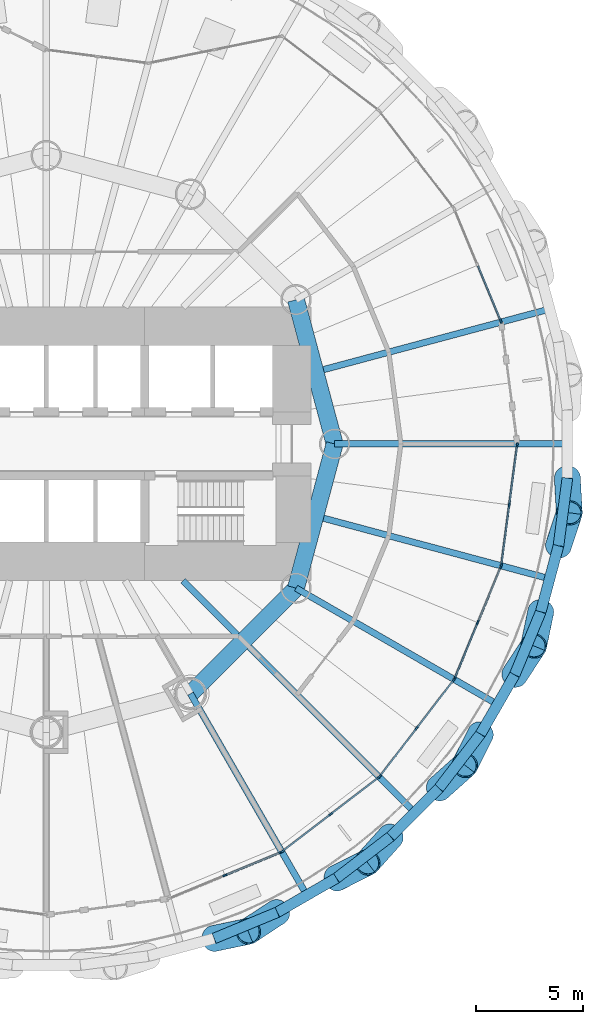
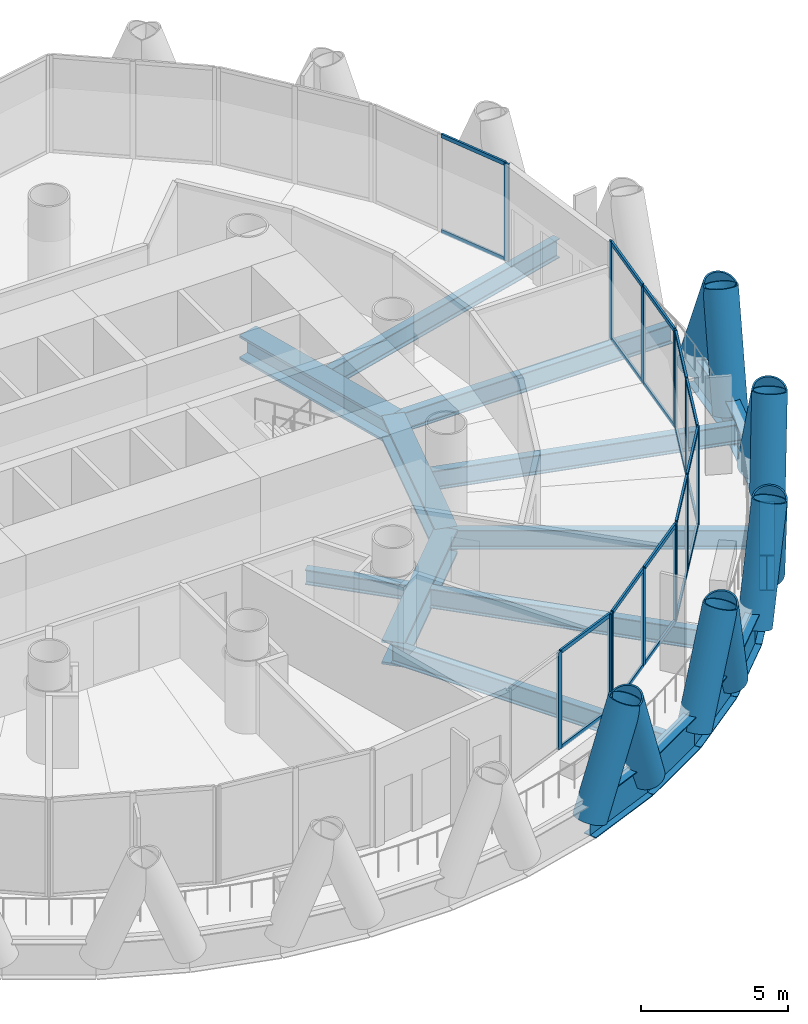
# One storey, part 4 of 16: 45 members, 19 beams, 6 elements without a shape of their own.
"""IFC4 building model written with IfcOpenShell, lengths in metres."""

from ifc_helpers import new_model, si_unit, direction, frame, origin, origin_2d, place, context, subcontext, project, spatial, rectangle, hollow_circle, i_section, extrude, material, material_profile, profile_set, type_object, element, aggregate, save


model = new_model("IFC4")

# Units and contexts
model_context = context("Model", 3, precision=1e-05, world=origin(), true_north=direction((0.0, 1.0)))
body_context = subcontext(model_context, "Body", "Model", "MODEL_VIEW")
ifc_project = project(units=[si_unit("LENGTHUNIT", "METRE"), si_unit("AREAUNIT", "SQUARE_METRE"), si_unit("VOLUMEUNIT", "CUBIC_METRE"), si_unit("PLANEANGLEUNIT", "RADIAN"), si_unit("MASSUNIT", "GRAM", prefix="KILO")], contexts=[model_context])

# Site, building, storey
site_placement = place(None, origin())
site = spatial("IfcSite", under=ifc_project, at=site_placement, CompositionType="ELEMENT")
building_placement = place(site_placement, origin())
building = spatial("IfcBuilding", under=site, at=building_placement, Name="Qaws Media Tower", CompositionType="ELEMENT")
storey_placement = place(building_placement, frame((0.0, 0.0, 47.0)))
storey = spatial("IfcBuildingStorey", under=building, at=storey_placement, Name="L09", CompositionType="ELEMENT", Elevation=47.0)

# Curtain wall, member
ifc_material_1 = material(Name="Aluminium and clear glass", Category="aluminium")
curtain_wall_type = type_object("IfcCurtainWallType", Name="Unitised curtain wall CW-A", PredefinedType="NOTDEFINED", material=ifc_material_1)
curtain_wall_1_placement = place(storey_placement, origin())
curtain_wall_1 = element("IfcCurtainWall", 1, at=curtain_wall_1_placement, inside=storey, type_object=curtain_wall_type, Name="CWA curtain wall L09-02", PredefinedType="NOTDEFINED")
ifc_material_2 = material(Name="Aluminium mullion", Category="aluminium")
ifc_material_profile_1 = material_profile(ifc_material_2, rectangle(XDim=0.080078125, YDim=0.199951171875, at=origin_2d()), Name="80x200")
ifc_profile_set_1 = profile_set([ifc_material_profile_1], Name="Aluminium mullion")
member_type_1 = type_object("IfcMemberType", Name="Curtain wall mullion 80x200", PredefinedType="MULLION", material=ifc_profile_set_1)
member_1_placement = place(storey_placement, frame((81.283447265625, 55.743896484375, 0.0), z_axis=(0.0, 0.0, 1.0), x_axis=(-0.923879550525, -0.382683388877, 0.0)))
member_1 = element("IfcMember", 2, at=member_1_placement, type_object=member_type_1, Name="CWA mullion 1", PredefinedType="MULLION", context=body_context, shape_type="SweptSolid", body=[
    extrude(rectangle(XDim=0.080078125, YDim=0.199951171875, at=origin_2d()), origin(), (0.0, 0.0, 1.0), 4.0400390625),
])

# Curtain wall, members
curtain_wall_2_placement = place(storey_placement, origin())
curtain_wall_2 = element("IfcCurtainWall", 3, at=curtain_wall_2_placement, inside=storey, type_object=curtain_wall_type, Name="CWA curtain wall L09-20", PredefinedType="NOTDEFINED")
member_2_placement = place(storey_placement, frame((68.365966796875, 29.802734375, 0.0), z_axis=(0.0, 0.0, 1.0), x_axis=(-0.382683388877, 0.923879550525, 0.0)))
member_2 = element("IfcMember", 4, at=member_2_placement, type_object=member_type_1, Name="CWA mullion 2", PredefinedType="MULLION", context=body_context, shape_type="SweptSolid", body=[
    extrude(rectangle(XDim=0.080078125, YDim=0.199951171875, at=origin_2d()), origin(), (0.0, 0.0, 1.0), 4.0400390625),
])
member_3_placement = place(storey_placement, frame((70.988037109375, 30.888916015625, 0.0), z_axis=(0.0, 0.0, 1.0), x_axis=(-0.382683388877, 0.923879550525, 0.0)))
member_3 = element("IfcMember", 5, at=member_3_placement, type_object=member_type_1, Name="CWA mullion 3", PredefinedType="MULLION", context=body_context, shape_type="SweptSolid", body=[
    extrude(rectangle(XDim=0.080078125, YDim=0.199951171875, at=origin_2d()), origin(), (0.0, 0.0, 1.0), 4.0400390625),
])

curtain_wall_3_placement = place(storey_placement, origin())
curtain_wall_3 = element("IfcCurtainWall", 6, at=curtain_wall_3_placement, inside=storey, type_object=curtain_wall_type, Name="CWA curtain wall L09-21", PredefinedType="NOTDEFINED")
member_4_placement = place(storey_placement, frame((71.056640625, 30.928466796875, 0.0), z_axis=(0.0, 0.0, 1.0), x_axis=(-0.608761320465, 0.79335342358, 0.0)))
member_4 = element("IfcMember", 7, at=member_4_placement, type_object=member_type_1, Name="CWA mullion 1", PredefinedType="MULLION", context=body_context, shape_type="SweptSolid", body=[
    extrude(rectangle(XDim=0.080078125, YDim=0.199951171875, at=origin_2d()), origin(), (0.0, 0.0, 1.0), 4.0400390625),
])
member_5_placement = place(storey_placement, frame((73.308349609375, 32.65625, 0.0), z_axis=(0.0, 0.0, 1.0), x_axis=(-0.608761320465, 0.79335342358, 0.0)))
member_5 = element("IfcMember", 8, at=member_5_placement, type_object=member_type_1, Name="CWA mullion 2", PredefinedType="MULLION", context=body_context, shape_type="SweptSolid", body=[
    extrude(rectangle(XDim=0.080078125, YDim=0.199951171875, at=origin_2d()), origin(), (0.0, 0.0, 1.0), 4.0400390625),
])
member_6_placement = place(storey_placement, frame((75.56005859375, 34.384033203125, 0.0), z_axis=(0.0, 0.0, 1.0), x_axis=(-0.608761320465, 0.79335342358, 0.0)))
member_6 = element("IfcMember", 9, at=member_6_placement, type_object=member_type_1, Name="CWA mullion 3", PredefinedType="MULLION", context=body_context, shape_type="SweptSolid", body=[
    extrude(rectangle(XDim=0.080078125, YDim=0.199951171875, at=origin_2d()), origin(), (0.0, 0.0, 1.0), 4.0400390625),
])

curtain_wall_4_placement = place(storey_placement, origin())
curtain_wall_4 = element("IfcCurtainWall", 10, at=curtain_wall_4_placement, inside=storey, type_object=curtain_wall_type, Name="CWA curtain wall L09-22", PredefinedType="NOTDEFINED")
member_7_placement = place(storey_placement, frame((75.615966796875, 34.43994140625, 0.0), z_axis=(0.0, 0.0, 1.0), x_axis=(-0.79335342358, 0.608761320465, 0.0)))
member_7 = element("IfcMember", 11, at=member_7_placement, type_object=member_type_1, Name="CWA mullion 1", PredefinedType="MULLION", context=body_context, shape_type="SweptSolid", body=[
    extrude(rectangle(XDim=0.080078125, YDim=0.199951171875, at=origin_2d()), origin(), (0.0, 0.0, 1.0), 4.0400390625),
])
member_8_placement = place(storey_placement, frame((77.34375, 36.691650390625, 0.0), z_axis=(0.0, 0.0, 1.0), x_axis=(-0.79335342358, 0.608761320465, 0.0)))
member_8 = element("IfcMember", 12, at=member_8_placement, type_object=member_type_1, Name="CWA mullion 2", PredefinedType="MULLION", context=body_context, shape_type="SweptSolid", body=[
    extrude(rectangle(XDim=0.080078125, YDim=0.199951171875, at=origin_2d()), origin(), (0.0, 0.0, 1.0), 4.0400390625),
])
member_9_placement = place(storey_placement, frame((79.071533203125, 38.943359375, 0.0), z_axis=(0.0, 0.0, 1.0), x_axis=(-0.79335342358, 0.608761320465, 0.0)))
member_9 = element("IfcMember", 13, at=member_9_placement, type_object=member_type_1, Name="CWA mullion 3", PredefinedType="MULLION", context=body_context, shape_type="SweptSolid", body=[
    extrude(rectangle(XDim=0.080078125, YDim=0.199951171875, at=origin_2d()), origin(), (0.0, 0.0, 1.0), 4.0400390625),
])

curtain_wall_5_placement = place(storey_placement, origin())
curtain_wall_5 = element("IfcCurtainWall", 14, at=curtain_wall_5_placement, inside=storey, type_object=curtain_wall_type, Name="CWA curtain wall L09-23", PredefinedType="NOTDEFINED")
member_10_placement = place(storey_placement, frame((79.111083984375, 39.011962890625, 0.0), z_axis=(0.0, 0.0, 1.0), x_axis=(-0.923879550525, 0.382683388877, 0.0)))
member_10 = element("IfcMember", 15, at=member_10_placement, type_object=member_type_1, Name="CWA mullion 1", PredefinedType="MULLION", context=body_context, shape_type="SweptSolid", body=[
    extrude(rectangle(XDim=0.080078125, YDim=0.199951171875, at=origin_2d()), origin(), (0.0, 0.0, 1.0), 4.0400390625),
])
member_11_placement = place(storey_placement, frame((80.197265625, 41.634033203125, 0.0), z_axis=(0.0, 0.0, 1.0), x_axis=(-0.923879550525, 0.382683388877, 0.0)))
member_11 = element("IfcMember", 16, at=member_11_placement, type_object=member_type_1, Name="CWA mullion 2", PredefinedType="MULLION", context=body_context, shape_type="SweptSolid", body=[
    extrude(rectangle(XDim=0.080078125, YDim=0.199951171875, at=origin_2d()), origin(), (0.0, 0.0, 1.0), 4.0400390625),
])
member_12_placement = place(storey_placement, frame((81.283447265625, 44.256103515625, 0.0), z_axis=(0.0, 0.0, 1.0), x_axis=(-0.923879550525, 0.382683388877, 0.0)))
member_12 = element("IfcMember", 17, at=member_12_placement, type_object=member_type_1, Name="CWA mullion 3", PredefinedType="MULLION", context=body_context, shape_type="SweptSolid", body=[
    extrude(rectangle(XDim=0.080078125, YDim=0.199951171875, at=origin_2d()), origin(), (0.0, 0.0, 1.0), 4.0400390625),
])

curtain_wall_6_placement = place(storey_placement, origin())
curtain_wall_6 = element("IfcCurtainWall", 18, at=curtain_wall_6_placement, inside=storey, type_object=curtain_wall_type, Name="CWA curtain wall L09-24", PredefinedType="NOTDEFINED")
member_13_placement = place(storey_placement, frame((81.303955078125, 44.332763671875, 0.0), z_axis=(0.0, 0.0, 1.0), x_axis=(-0.991444850979, 0.130526271178, 0.0)))
member_13 = element("IfcMember", 19, at=member_13_placement, type_object=member_type_1, Name="CWA mullion 1", PredefinedType="MULLION", context=body_context, shape_type="SweptSolid", body=[
    extrude(rectangle(XDim=0.080078125, YDim=0.199951171875, at=origin_2d()), origin(), (0.0, 0.0, 1.0), 4.0400390625),
])
member_14_placement = place(storey_placement, frame((81.67431640625, 47.146484375, 0.0), z_axis=(0.0, 0.0, 1.0), x_axis=(-0.991444850979, 0.130526271178, 0.0)))
member_14 = element("IfcMember", 20, at=member_14_placement, type_object=member_type_1, Name="CWA mullion 2", PredefinedType="MULLION", context=body_context, shape_type="SweptSolid", body=[
    extrude(rectangle(XDim=0.080078125, YDim=0.199951171875, at=origin_2d()), origin(), (0.0, 0.0, 1.0), 4.0400390625),
])
member_15_placement = place(storey_placement, frame((82.044677734375, 49.96044921875, 0.0), z_axis=(0.0, 0.0, 1.0), x_axis=(-0.991444850979, 0.130526271178, 0.0)))
member_15 = element("IfcMember", 21, at=member_15_placement, type_object=member_type_1, Name="CWA mullion 3", PredefinedType="MULLION", context=body_context, shape_type="SweptSolid", body=[
    extrude(rectangle(XDim=0.080078125, YDim=0.199951171875, at=origin_2d()), origin(), (0.0, 0.0, 1.0), 4.0400390625),
])

# Member
ifc_material_3 = material(Name="Aluminium transom", Category="aluminium")
ifc_material_profile_2 = material_profile(ifc_material_3, rectangle(XDim=0.080078125, YDim=0.159912109375, at=origin_2d()), Name="80x160")
ifc_profile_set_2 = profile_set([ifc_material_profile_2], Name="Aluminium transom")
member_type_2 = type_object("IfcMemberType", Name="Curtain wall transom 80x160", PredefinedType="USERDEFINED", material=ifc_profile_set_2)
member_16_placement = place(storey_placement, frame((81.26806640625, 55.78076171875, 0.0400390625), z_axis=(-0.382641035771, 0.923897092616, 0.0), x_axis=(-0.923897092616, -0.382641035771, 0.0)))
member_16 = element("IfcMember", 22, at=member_16_placement, type_object=member_type_2, Name="CWA transom 1.1", ObjectType="TRANSOM", PredefinedType="USERDEFINED", context=body_context, shape_type="SweptSolid", body=[
    extrude(rectangle(XDim=0.080078125, YDim=0.159912109375, at=origin_2d()), origin(), (0.0, 0.0, 1.0), 2.75830078125),
])

member_17_placement = place(storey_placement, frame((81.26806640625, 55.78076171875, 4.0), z_axis=(-0.382641035771, 0.923897092616, 0.0), x_axis=(-0.923897092616, -0.382641035771, 0.0)))
member_17 = element("IfcMember", 23, at=member_17_placement, type_object=member_type_2, Name="CWA transom 1.2", ObjectType="TRANSOM", PredefinedType="USERDEFINED", context=body_context, shape_type="SweptSolid", body=[
    extrude(rectangle(XDim=0.080078125, YDim=0.159912109375, at=origin_2d()), origin(), (0.0, 0.0, 1.0), 2.75830078125),
])

aggregate(curtain_wall_1, [member_1, member_16, member_17])

member_18_placement = place(storey_placement, frame((68.40283203125, 29.818115234375, 0.0400390625), z_axis=(0.923897092616, 0.382641035771, 0.0), x_axis=(-0.382641035771, 0.923897092616, 0.0)))
member_18 = element("IfcMember", 24, at=member_18_placement, type_object=member_type_2, Name="CWA transom 2.1", ObjectType="TRANSOM", PredefinedType="USERDEFINED", context=body_context, shape_type="SweptSolid", body=[
    extrude(rectangle(XDim=0.080078125, YDim=0.159912109375, at=origin_2d()), origin(), (0.0, 0.0, 1.0), 2.75830078125),
])

member_19_placement = place(storey_placement, frame((68.40283203125, 29.818115234375, 4.0), z_axis=(0.923897092616, 0.382641035771, 0.0), x_axis=(-0.382641035771, 0.923897092616, 0.0)))
member_19 = element("IfcMember", 25, at=member_19_placement, type_object=member_type_2, Name="CWA transom 2.2", ObjectType="TRANSOM", PredefinedType="USERDEFINED", context=body_context, shape_type="SweptSolid", body=[
    extrude(rectangle(XDim=0.080078125, YDim=0.159912109375, at=origin_2d()), origin(), (0.0, 0.0, 1.0), 2.75830078125),
])

aggregate(curtain_wall_2, [member_2, member_3, member_18, member_19])

member_20_placement = place(storey_placement, frame((71.08837890625, 30.952880859375, 0.0400390625), z_axis=(0.793376929066, 0.608730686286, 0.0), x_axis=(-0.608730686286, 0.793376929066, 0.0)))
member_20 = element("IfcMember", 26, at=member_20_placement, type_object=member_type_2, Name="CWA transom 1.1", ObjectType="TRANSOM", PredefinedType="USERDEFINED", context=body_context, shape_type="SweptSolid", body=[
    extrude(rectangle(XDim=0.080078125, YDim=0.159912109375, at=origin_2d()), origin(), (0.0, 0.0, 1.0), 2.758056640625),
])

member_21_placement = place(storey_placement, frame((71.08837890625, 30.952880859375, 4.0), z_axis=(0.793376929066, 0.608730686286, 0.0), x_axis=(-0.608730686286, 0.793376929066, 0.0)))
member_21 = element("IfcMember", 27, at=member_21_placement, type_object=member_type_2, Name="CWA transom 1.2", ObjectType="TRANSOM", PredefinedType="USERDEFINED", context=body_context, shape_type="SweptSolid", body=[
    extrude(rectangle(XDim=0.080078125, YDim=0.159912109375, at=origin_2d()), origin(), (0.0, 0.0, 1.0), 2.758056640625),
])

member_22_placement = place(storey_placement, frame((73.340087890625, 32.6806640625, 0.0400390625), z_axis=(0.793376929066, 0.608730686286, 0.0), x_axis=(-0.608730686286, 0.793376929066, 0.0)))
member_22 = element("IfcMember", 28, at=member_22_placement, type_object=member_type_2, Name="CWA transom 2.1", ObjectType="TRANSOM", PredefinedType="USERDEFINED", context=body_context, shape_type="SweptSolid", body=[
    extrude(rectangle(XDim=0.080078125, YDim=0.159912109375, at=origin_2d()), origin(), (0.0, 0.0, 1.0), 2.758056640625),
])

member_23_placement = place(storey_placement, frame((73.340087890625, 32.6806640625, 4.0), z_axis=(0.793376929066, 0.608730686286, 0.0), x_axis=(-0.608730686286, 0.793376929066, 0.0)))
member_23 = element("IfcMember", 29, at=member_23_placement, type_object=member_type_2, Name="CWA transom 2.2", ObjectType="TRANSOM", PredefinedType="USERDEFINED", context=body_context, shape_type="SweptSolid", body=[
    extrude(rectangle(XDim=0.080078125, YDim=0.159912109375, at=origin_2d()), origin(), (0.0, 0.0, 1.0), 2.758056640625),
])

aggregate(curtain_wall_3, [member_4, member_5, member_6, member_20, member_21, member_22, member_23])

member_24_placement = place(storey_placement, frame((75.640380859375, 34.4716796875, 0.0400390625), z_axis=(0.608730686286, 0.793376929066, 0.0), x_axis=(-0.793376929066, 0.608730686286, 0.0)))
member_24 = element("IfcMember", 30, at=member_24_placement, type_object=member_type_2, Name="CWA transom 1.1", ObjectType="TRANSOM", PredefinedType="USERDEFINED", context=body_context, shape_type="SweptSolid", body=[
    extrude(rectangle(XDim=0.080078125, YDim=0.159912109375, at=origin_2d()), origin(), (0.0, 0.0, 1.0), 2.758056640625),
])

member_25_placement = place(storey_placement, frame((75.640380859375, 34.4716796875, 4.0), z_axis=(0.608730686286, 0.793376929066, 0.0), x_axis=(-0.793376929066, 0.608730686286, 0.0)))
member_25 = element("IfcMember", 31, at=member_25_placement, type_object=member_type_2, Name="CWA transom 1.2", ObjectType="TRANSOM", PredefinedType="USERDEFINED", context=body_context, shape_type="SweptSolid", body=[
    extrude(rectangle(XDim=0.080078125, YDim=0.159912109375, at=origin_2d()), origin(), (0.0, 0.0, 1.0), 2.758056640625),
])

member_26_placement = place(storey_placement, frame((77.3681640625, 36.723388671875, 0.0400390625), z_axis=(0.608730686286, 0.793376929066, 0.0), x_axis=(-0.793376929066, 0.608730686286, 0.0)))
member_26 = element("IfcMember", 32, at=member_26_placement, type_object=member_type_2, Name="CWA transom 2.1", ObjectType="TRANSOM", PredefinedType="USERDEFINED", context=body_context, shape_type="SweptSolid", body=[
    extrude(rectangle(XDim=0.080078125, YDim=0.159912109375, at=origin_2d()), origin(), (0.0, 0.0, 1.0), 2.758056640625),
])

member_27_placement = place(storey_placement, frame((77.3681640625, 36.723388671875, 4.0), z_axis=(0.608730686286, 0.793376929066, 0.0), x_axis=(-0.793376929066, 0.608730686286, 0.0)))
member_27 = element("IfcMember", 33, at=member_27_placement, type_object=member_type_2, Name="CWA transom 2.2", ObjectType="TRANSOM", PredefinedType="USERDEFINED", context=body_context, shape_type="SweptSolid", body=[
    extrude(rectangle(XDim=0.080078125, YDim=0.159912109375, at=origin_2d()), origin(), (0.0, 0.0, 1.0), 2.758056640625),
])

aggregate(curtain_wall_4, [member_7, member_8, member_9, member_24, member_25, member_26, member_27])

member_28_placement = place(storey_placement, frame((79.12646484375, 39.048828125, 0.0400390625), z_axis=(0.382641035771, 0.923897092616, 0.0), x_axis=(-0.923897092616, 0.382641035771, 0.0)))
member_28 = element("IfcMember", 34, at=member_28_placement, type_object=member_type_2, Name="CWA transom 1.1", ObjectType="TRANSOM", PredefinedType="USERDEFINED", context=body_context, shape_type="SweptSolid", body=[
    extrude(rectangle(XDim=0.080078125, YDim=0.159912109375, at=origin_2d()), origin(), (0.0, 0.0, 1.0), 2.75830078125),
])

member_29_placement = place(storey_placement, frame((79.12646484375, 39.048828125, 4.0), z_axis=(0.382641035771, 0.923897092616, 0.0), x_axis=(-0.923897092616, 0.382641035771, 0.0)))
member_29 = element("IfcMember", 35, at=member_29_placement, type_object=member_type_2, Name="CWA transom 1.2", ObjectType="TRANSOM", PredefinedType="USERDEFINED", context=body_context, shape_type="SweptSolid", body=[
    extrude(rectangle(XDim=0.080078125, YDim=0.159912109375, at=origin_2d()), origin(), (0.0, 0.0, 1.0), 2.75830078125),
])

member_30_placement = place(storey_placement, frame((80.212646484375, 41.6708984375, 0.0400390625), z_axis=(0.382641035771, 0.923897092616, 0.0), x_axis=(-0.923897092616, 0.382641035771, 0.0)))
member_30 = element("IfcMember", 36, at=member_30_placement, type_object=member_type_2, Name="CWA transom 2.1", ObjectType="TRANSOM", PredefinedType="USERDEFINED", context=body_context, shape_type="SweptSolid", body=[
    extrude(rectangle(XDim=0.080078125, YDim=0.159912109375, at=origin_2d()), origin(), (0.0, 0.0, 1.0), 2.75830078125),
])

member_31_placement = place(storey_placement, frame((80.212646484375, 41.6708984375, 4.0), z_axis=(0.382641035771, 0.923897092616, 0.0), x_axis=(-0.923897092616, 0.382641035771, 0.0)))
member_31 = element("IfcMember", 37, at=member_31_placement, type_object=member_type_2, Name="CWA transom 2.2", ObjectType="TRANSOM", PredefinedType="USERDEFINED", context=body_context, shape_type="SweptSolid", body=[
    extrude(rectangle(XDim=0.080078125, YDim=0.159912109375, at=origin_2d()), origin(), (0.0, 0.0, 1.0), 2.75830078125),
])

aggregate(curtain_wall_5, [member_10, member_11, member_12, member_28, member_29, member_30, member_31])

member_32_placement = place(storey_placement, frame((81.30908203125, 44.372314453125, 0.0400390625), z_axis=(0.130557546748, 0.991440732967, 0.0), x_axis=(-0.991440732967, 0.130557546748, 0.0)))
member_32 = element("IfcMember", 38, at=member_32_placement, type_object=member_type_2, Name="CWA transom 1.1", ObjectType="TRANSOM", PredefinedType="USERDEFINED", context=body_context, shape_type="SweptSolid", body=[
    extrude(rectangle(XDim=0.080078125, YDim=0.159912109375, at=origin_2d()), origin(), (0.0, 0.0, 1.0), 2.75830078125),
])

member_33_placement = place(storey_placement, frame((81.30908203125, 44.372314453125, 4.0), z_axis=(0.130557546748, 0.991440732967, 0.0), x_axis=(-0.991440732967, 0.130557546748, 0.0)))
member_33 = element("IfcMember", 39, at=member_33_placement, type_object=member_type_2, Name="CWA transom 1.2", ObjectType="TRANSOM", PredefinedType="USERDEFINED", context=body_context, shape_type="SweptSolid", body=[
    extrude(rectangle(XDim=0.080078125, YDim=0.159912109375, at=origin_2d()), origin(), (0.0, 0.0, 1.0), 2.75830078125),
])

member_34_placement = place(storey_placement, frame((81.679443359375, 47.186279296875, 0.0400390625), z_axis=(0.13056900495, 0.991439224031, 0.0), x_axis=(-0.991439224031, 0.13056900495, 0.0)))
member_34 = element("IfcMember", 40, at=member_34_placement, type_object=member_type_2, Name="CWA transom 2.1", ObjectType="TRANSOM", PredefinedType="USERDEFINED", context=body_context, shape_type="SweptSolid", body=[
    extrude(rectangle(XDim=0.080078125, YDim=0.159912109375, at=origin_2d()), origin(), (0.0, 0.0, 1.0), 2.758056640625),
])

member_35_placement = place(storey_placement, frame((81.679443359375, 47.186279296875, 4.0), z_axis=(0.13056900495, 0.991439224031, 0.0), x_axis=(-0.991439224031, 0.13056900495, 0.0)))
member_35 = element("IfcMember", 41, at=member_35_placement, type_object=member_type_2, Name="CWA transom 2.2", ObjectType="TRANSOM", PredefinedType="USERDEFINED", context=body_context, shape_type="SweptSolid", body=[
    extrude(rectangle(XDim=0.080078125, YDim=0.159912109375, at=origin_2d()), origin(), (0.0, 0.0, 1.0), 2.758056640625),
])

aggregate(curtain_wall_6, [member_13, member_14, member_15, member_32, member_33, member_34, member_35])

# Members
ifc_material_4 = material(Name="Steel S460", Category="steel")
ifc_material_profile_3 = material_profile(ifc_material_4, hollow_circle(Radius=0.609619140625, WallThickness=0.06005859375, at=origin_2d()), Name="CHS 1219x60")
ifc_profile_set_3 = profile_set([ifc_material_profile_3], Name="Steel S460")
member_type_3 = type_object("IfcMemberType", Name="Diagrid member CHS 1219x60", PredefinedType="USERDEFINED", material=ifc_profile_set_3)
member_36_placement = place(storey_placement, frame((84.397705078125, 48.40087890625, -0.909912109375), z_axis=(0.020217726858, -0.360721105206, 0.932454571429), x_axis=(0.99843299709, 0.055960256636, 0.0)))
element("IfcMember", 42, at=member_36_placement, inside=storey, type_object=member_type_3, Name="DG1 diagrid L09 B01", ObjectType="DIAGRID", PredefinedType="USERDEFINED", context=body_context, shape_type="SweptSolid", body=[
    extrude(hollow_circle(Radius=0.609619140625, WallThickness=0.06005859375, at=origin_2d()), origin(), (0.0, 0.0, 1.0), 4.504150390625),
])
member_37_placement = place(storey_placement, frame((67.859130859375, 26.84765625, -0.909912109375), z_axis=(0.353720827329, 0.073822826666, 0.932433250467), x_axis=(-0.204301665065, 0.978907978133, 0.0)))
element("IfcMember", 43, at=member_37_placement, inside=storey, type_object=member_type_3, Name="DG1 diagrid L09 A20", ObjectType="DIAGRID", PredefinedType="USERDEFINED", context=body_context, shape_type="SweptSolid", body=[
    extrude(hollow_circle(Radius=0.609619140625, WallThickness=0.06005859375, at=origin_2d()), origin(), (0.0, 0.0, 1.0), 4.50439453125),
])
for number, where, z_axis, x_axis, name in (
    (44, (73.583740234375, 29.670654296875, -0.909912109375), (0.322508751373, 0.16282626708, 0.932456815105), (-0.450690911272, 0.892680067267, 0.0), "DG1 diagrid L09 A21"),
    (45, (70.81396484375, 28.071533203125, -0.909912109375), (-0.3022882165, -0.197893899666, 0.932448303468), (0.547722187695, -0.836660268632, 0.0), "DG1 diagrid L09 B21"),
):
    element("IfcMember", number, at=place(storey_placement, frame(where, z_axis=z_axis, x_axis=x_axis)), inside=storey, type_object=member_type_3, Name=name, ObjectType="DIAGRID", PredefinedType="USERDEFINED", context=body_context, shape_type="SweptSolid", body=[
        extrude(hollow_circle(Radius=0.609619140625, WallThickness=0.06005859375, at=origin_2d()), origin(), (0.0, 0.0, 1.0), 4.504150390625),
    ])
for number, where, z_axis, x_axis, name in (
    (46, (78.382568359375, 33.87890625, -0.909912109375), (0.269383872368, 0.240819425539, 0.9324367719), (-0.666474709175, 0.745527640018, 0.0), "DG1 diagrid L09 A22"),
    (47, (76.12109375, 31.617431640625, -0.909912109375), (-0.240819425539, -0.269383872368, 0.9324367719), (0.745527640018, -0.666474709175, 0.0), "DG1 diagrid L09 B22"),
):
    element("IfcMember", number, at=place(storey_placement, frame(where, z_axis=z_axis, x_axis=x_axis)), inside=storey, type_object=member_type_3, Name=name, ObjectType="DIAGRID", PredefinedType="USERDEFINED", context=body_context, shape_type="SweptSolid", body=[
        extrude(hollow_circle(Radius=0.609619140625, WallThickness=0.06005859375, at=origin_2d()), origin(), (0.0, 0.0, 1.0), 4.50439453125),
    ])
for number, where, z_axis, x_axis, name in (
    (48, (81.928466796875, 39.18603515625, -0.909912109375), (0.197893899666, 0.3022882165, 0.932448303468), (-0.836660268632, 0.547722187695, 0.0), "DG1 diagrid L09 A23"),
    (49, (80.329345703125, 36.416259765625, -0.909912109375), (-0.16282626708, -0.322508751373, 0.932456815105), (0.892680067267, -0.450690911272, 0.0), "DG1 diagrid L09 B23"),
):
    element("IfcMember", number, at=place(storey_placement, frame(where, z_axis=z_axis, x_axis=x_axis)), inside=storey, type_object=member_type_3, Name=name, ObjectType="DIAGRID", PredefinedType="USERDEFINED", context=body_context, shape_type="SweptSolid", body=[
        extrude(hollow_circle(Radius=0.609619140625, WallThickness=0.06005859375, at=origin_2d()), origin(), (0.0, 0.0, 1.0), 4.504150390625),
    ])
for number, where, z_axis, x_axis, name in (
    (50, (83.980224609375, 45.22998046875, -0.909912109375), (0.112901969961, 0.343258845782, 0.932430431706), (-0.949935748696, 0.312445312574, 0.0), "DG1 diagrid L09 A24"),
    (51, (83.15234375, 42.140869140625, -0.909912109375), (-0.073822826666, -0.353720827329, 0.932433250467), (0.978907978133, -0.204301665065, 0.0), "DG1 diagrid L09 B24"),
):
    element("IfcMember", number, at=place(storey_placement, frame(where, z_axis=z_axis, x_axis=x_axis)), inside=storey, type_object=member_type_3, Name=name, ObjectType="DIAGRID", PredefinedType="USERDEFINED", context=body_context, shape_type="SweptSolid", body=[
        extrude(hollow_circle(Radius=0.609619140625, WallThickness=0.06005859375, at=origin_2d()), origin(), (0.0, 0.0, 1.0), 4.50439453125),
    ])

# Beams
ifc_material_5 = material(Name="Steel S460", Category="steel")
ifc_material_profile_4 = material_profile(ifc_material_5, i_section(OverallWidth=0.5, OverallDepth=1.5, WebThickness=0.02001953125, FlangeThickness=0.0400390625, at=origin_2d()), Name="PG 1500x500")
ifc_profile_set_4 = profile_set([ifc_material_profile_4], Name="Steel S460")
beam_type_1 = type_object("IfcBeamType", Name="Edge ring beam PG 1500x500", PredefinedType="BEAM", material=ifc_profile_set_4)
for number, where, z_axis, x_axis, name in (
    (52, (67.859130859375, 26.84765625, -0.909912109375), (0.923885651932, 0.382668658443, 0.0), (-0.382668658443, 0.923885651932, 0.0), "RB4 edge ring beam L09-39"),
    (53, (70.81396484375, 28.071533203125, -0.909912109375), (0.866026686418, 0.499997778408, 0.0), (-0.499997778408, 0.866026686418, 0.0), "RB4 edge ring beam L09-40"),
    (54, (73.583740234375, 29.670654296875, -0.909912109375), (0.793383917565, 0.608721577857, 0.0), (-0.608721577857, 0.793383917565, 0.0), "RB4 edge ring beam L09-41"),
    (55, (76.12109375, 31.617431640625, -0.909912109375), (0.707106781187, 0.707106781187, 0.0), (-0.707106781187, 0.707106781187, 0.0), "RB4 edge ring beam L09-42"),
    (56, (78.382568359375, 33.87890625, -0.909912109375), (0.608721577857, 0.793383917565, 0.0), (-0.793383917565, 0.608721577857, 0.0), "RB4 edge ring beam L09-43"),
    (57, (80.329345703125, 36.416259765625, -0.909912109375), (0.499997778408, 0.866026686418, 0.0), (-0.866026686418, 0.499997778408, 0.0), "RB4 edge ring beam L09-44"),
    (58, (81.928466796875, 39.18603515625, -0.909912109375), (0.382668658443, 0.923885651932, 0.0), (-0.923885651932, 0.382668658443, 0.0), "RB4 edge ring beam L09-45"),
    (59, (83.15234375, 42.140869140625, -0.909912109375), (0.258864548189, 0.965913632625, 0.0), (-0.965913632625, 0.258864548189, 0.0), "RB4 edge ring beam L09-46"),
    (60, (83.980224609375, 45.22998046875, -0.909912109375), (0.130533497709, 0.991443899561, 0.0), (-0.991443899561, 0.130533497709, 0.0), "RB4 edge ring beam L09-47"),
):
    element("IfcBeam", number, at=place(storey_placement, frame(where, z_axis=z_axis, x_axis=x_axis)), inside=storey, type_object=beam_type_1, Name=name, PredefinedType="BEAM", context=body_context, shape_type="SweptSolid", body=[
        extrude(i_section(OverallWidth=0.5, OverallDepth=1.5, WebThickness=0.02001953125, FlangeThickness=0.0400390625, at=origin_2d()), origin(), (0.0, 0.0, 1.0), 3.1982421875),
    ])
ifc_material_6 = material(Name="Steel S460", Category="steel")
ifc_material_profile_5 = material_profile(ifc_material_6, i_section(OverallWidth=0.800048828125, OverallDepth=1.0, WebThickness=0.0400390625, FlangeThickness=0.10009765625, at=origin_2d()), Name="PG 1000x800")
ifc_profile_set_5 = profile_set([ifc_material_profile_5], Name="Steel S460")
beam_type_2 = type_object("IfcBeamType", Name="Inner ring girder PG 1000x800", PredefinedType="BEAM", material=ifc_profile_set_5)
beam_1_placement = place(storey_placement, frame((73.5, 50.0, -0.659912109375), z_axis=(-0.258810593767, 0.965928090778, 0.0), x_axis=(-0.965928090778, -0.258810593767, 0.0)))
element("IfcBeam", 61, at=beam_1_placement, inside=storey, type_object=beam_type_2, Name="B3 inner ring beam L09 I01-I02", PredefinedType="BEAM", context=body_context, shape_type="SweptSolid", body=[
    extrude(i_section(OverallWidth=0.800048828125, OverallDepth=1.0, WebThickness=0.0400390625, FlangeThickness=0.10009765625, at=origin_2d()), origin(), (0.0, 0.0, 1.0), 6.988037109375),
])
beam_2_placement = place(storey_placement, frame((66.75, 38.30859375, -0.659912109375), z_axis=(0.707106781187, 0.707106781187, 0.0), x_axis=(-0.707106781187, 0.707106781187, 0.0)))
element("IfcBeam", 62, at=beam_2_placement, inside=storey, type_object=beam_type_2, Name="B3 inner ring beam L09 I11-I12", PredefinedType="BEAM", context=body_context, shape_type="SweptSolid", body=[
    extrude(i_section(OverallWidth=0.800048828125, OverallDepth=1.0, WebThickness=0.0400390625, FlangeThickness=0.10009765625, at=origin_2d()), origin(), (0.0, 0.0, 1.0), 6.98828125),
])
beam_3_placement = place(storey_placement, frame((71.69140625, 43.25, -0.659912109375), z_axis=(0.258810593767, 0.965928090778, 0.0), x_axis=(-0.965928090778, 0.258810593767, 0.0)))
element("IfcBeam", 63, at=beam_3_placement, inside=storey, type_object=beam_type_2, Name="B3 inner ring beam L09 I12-I01", PredefinedType="BEAM", context=body_context, shape_type="SweptSolid", body=[
    extrude(i_section(OverallWidth=0.800048828125, OverallDepth=1.0, WebThickness=0.0400390625, FlangeThickness=0.10009765625, at=origin_2d()), origin(), (0.0, 0.0, 1.0), 6.988037109375),
])
ifc_material_7 = material(Name="Steel S355", Category="steel")
ifc_material_profile_6 = material_profile(ifc_material_7, i_section(OverallWidth=0.304931640625, OverallDepth=0.6201171875, WebThickness=0.02099609375, FlangeThickness=0.0400390625, FilletRadius=0.027099609375, at=origin_2d()), Name="HE 600 M")
ifc_profile_set_6 = profile_set([ifc_material_profile_6], Name="Steel S355")
beam_type_3 = type_object("IfcBeamType", Name="Radial beam HE 600 M, core side", PredefinedType="BEAM", material=ifc_profile_set_6)
beam_4_placement = place(storey_placement, frame((66.39990234375, 43.60009765625, -0.469970703125), z_axis=(0.707106781187, -0.707106781187, 0.0), x_axis=(0.707106781187, 0.707106781187, 0.0)))
element("IfcBeam", 64, at=beam_4_placement, inside=storey, type_object=beam_type_3, Name="B2 radial beam L09 22", PredefinedType="BEAM", context=body_context, shape_type="SweptSolid", body=[
    extrude(i_section(OverallWidth=0.304931640625, OverallDepth=0.6201171875, WebThickness=0.02099609375, FlangeThickness=0.0400390625, FilletRadius=0.027099609375, at=origin_2d()), origin(), (0.0, 0.0, 1.0), 3.589111328125),
])
ifc_material_8 = material(Name="Steel S355", Category="steel")
ifc_material_profile_7 = material_profile(ifc_material_8, i_section(OverallWidth=0.300048828125, OverallDepth=0.800048828125, WebThickness=0.017578125, FlangeThickness=0.032958984375, FilletRadius=0.030029296875, at=origin_2d()), Name="HE 800 B")
ifc_profile_set_7 = profile_set([ifc_material_profile_7], Name="Steel S355")
beam_type_4 = type_object("IfcBeamType", Name="Radial beam HE 800 B", PredefinedType="BEAM", material=ifc_profile_set_7)
beam_5_placement = place(storey_placement, frame((73.5, 50.0, -0.56005859375), z_axis=(1.0, 0.0, 0.0), x_axis=(0.0, 1.0, 0.0)))
element("IfcBeam", 65, at=beam_5_placement, inside=storey, type_object=beam_type_4, Name="B1 radial beam L09 01", PredefinedType="BEAM", context=body_context, shape_type="SweptSolid", body=[
    extrude(i_section(OverallWidth=0.300048828125, OverallDepth=0.800048828125, WebThickness=0.017578125, FlangeThickness=0.032958984375, FilletRadius=0.030029296875, at=origin_2d()), origin(), (0.0, 0.0, 1.0), 10.897705078125),
])
beam_6_placement = place(storey_placement, frame((72.98193359375, 53.478515625, -0.56005859375), z_axis=(0.965923984208, 0.258825919743, 0.0), x_axis=(-0.258825919743, 0.965923984208, 0.0)))
element("IfcBeam", 66, at=beam_6_placement, inside=storey, type_object=beam_type_4, Name="B1 radial beam L09 02", PredefinedType="BEAM", context=body_context, shape_type="SweptSolid", body=[
    extrude(i_section(OverallWidth=0.300048828125, OverallDepth=0.800048828125, WebThickness=0.017578125, FlangeThickness=0.032958984375, FilletRadius=0.030029296875, at=origin_2d()), origin(), (0.0, 0.0, 1.0), 10.957763671875),
])
beam_7_placement = place(storey_placement, frame((66.75, 38.30859375, -0.56005859375), z_axis=(0.49999912617, -0.86602590829, 0.0), x_axis=(0.86602590829, 0.49999912617, 0.0)))
element("IfcBeam", 67, at=beam_7_placement, inside=storey, type_object=beam_type_4, Name="B1 radial beam L09 21", PredefinedType="BEAM", context=body_context, shape_type="SweptSolid", body=[
    extrude(i_section(OverallWidth=0.300048828125, OverallDepth=0.800048828125, WebThickness=0.017578125, FlangeThickness=0.032958984375, FilletRadius=0.030029296875, at=origin_2d()), origin(), (0.0, 0.0, 1.0), 10.8974609375),
])
beam_8_placement = place(storey_placement, frame((69.50341796875, 40.49658203125, -0.56005859375), z_axis=(0.707106781187, -0.707106781187, 0.0), x_axis=(0.707106781187, 0.707106781187, 0.0)))
element("IfcBeam", 68, at=beam_8_placement, inside=storey, type_object=beam_type_4, Name="B1 radial beam L09 22", PredefinedType="BEAM", context=body_context, shape_type="SweptSolid", body=[
    extrude(i_section(OverallWidth=0.300048828125, OverallDepth=0.800048828125, WebThickness=0.017578125, FlangeThickness=0.032958984375, FilletRadius=0.030029296875, at=origin_2d()), origin(), (0.0, 0.0, 1.0), 10.957763671875),
])
beam_9_placement = place(storey_placement, frame((71.69140625, 43.25, -0.56005859375), z_axis=(0.86602590829, -0.49999912617, 0.0), x_axis=(0.49999912617, 0.86602590829, 0.0)))
element("IfcBeam", 69, at=beam_9_placement, inside=storey, type_object=beam_type_4, Name="B1 radial beam L09 23", PredefinedType="BEAM", context=body_context, shape_type="SweptSolid", body=[
    extrude(i_section(OverallWidth=0.300048828125, OverallDepth=0.800048828125, WebThickness=0.017578125, FlangeThickness=0.032958984375, FilletRadius=0.030029296875, at=origin_2d()), origin(), (0.0, 0.0, 1.0), 10.8974609375),
])
beam_10_placement = place(storey_placement, frame((72.98193359375, 46.521484375, -0.56005859375), z_axis=(0.965923984208, -0.258825919743, 0.0), x_axis=(0.258825919743, 0.965923984208, 0.0)))
element("IfcBeam", 70, at=beam_10_placement, inside=storey, type_object=beam_type_4, Name="B1 radial beam L09 24", PredefinedType="BEAM", context=body_context, shape_type="SweptSolid", body=[
    extrude(i_section(OverallWidth=0.300048828125, OverallDepth=0.800048828125, WebThickness=0.017578125, FlangeThickness=0.032958984375, FilletRadius=0.030029296875, at=origin_2d()), origin(), (0.0, 0.0, 1.0), 10.957763671875),
])

save(model, "model.ifc")
